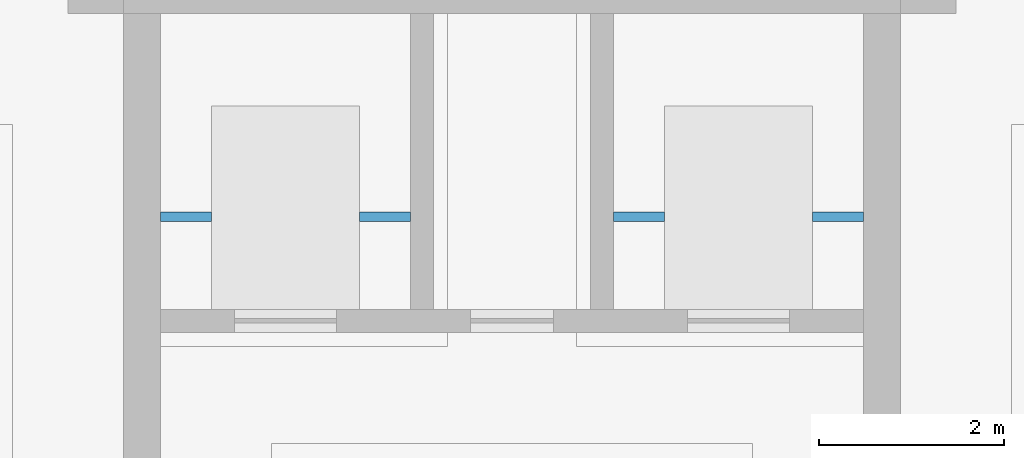
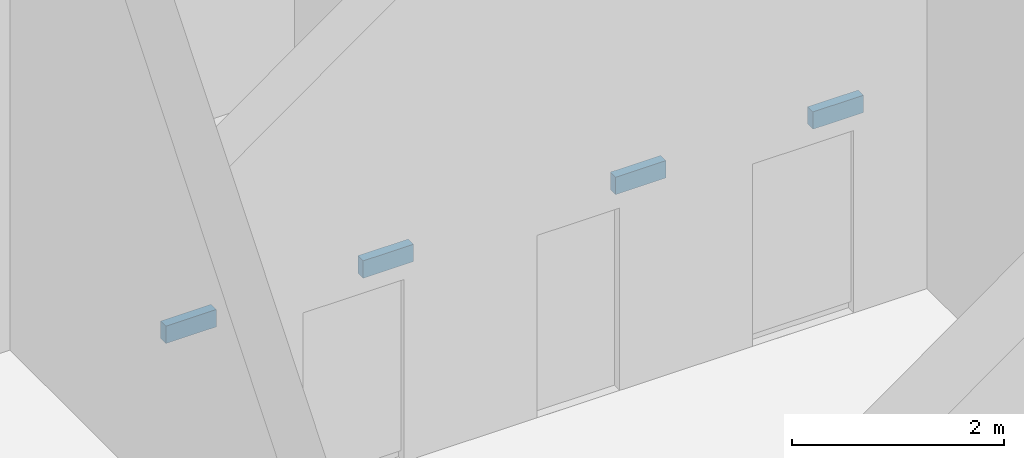
# One storey, part 83 of 108: 4 discrete accessories.
"""IFC4 building model written with IfcOpenShell, lengths in metres."""

from ifc_helpers import new_model, si_unit, direction, frame, origin, origin_2d, place, context, subcontext, project, spatial, rectangle, extrude, material, type_object, element, save


model = new_model("IFC4")

# Units and contexts
model_context = context("Model", 3, precision=1e-05, world=origin(), true_north=direction((0.0, 1.0)))
body_context = subcontext(model_context, "Body", "Model", "MODEL_VIEW")
ifc_project = project(units=[si_unit("LENGTHUNIT", "METRE"), si_unit("AREAUNIT", "SQUARE_METRE"), si_unit("VOLUMEUNIT", "CUBIC_METRE"), si_unit("PLANEANGLEUNIT", "RADIAN"), si_unit("MASSUNIT", "GRAM", prefix="KILO")], contexts=[model_context])

# Site, building, storey
site_placement = place(None, origin())
site = spatial("IfcSite", under=ifc_project, at=site_placement, CompositionType="ELEMENT")
building_placement = place(site_placement, origin())
building = spatial("IfcBuilding", under=site, at=building_placement, Name="Cresset Court Congress Hotel", CompositionType="ELEMENT")
storey_placement = place(building_placement, origin())
storey = spatial("IfcBuildingStorey", under=building, at=storey_placement, Name="L00", CompositionType="ELEMENT", Elevation=0.0)

# Discrete accessories
ifc_material = material(Name="Structural steel Q355B", Category="steel")
discrete_accessory_type = type_object("IfcDiscreteAccessoryType", Name="Lift guide bracket", PredefinedType="BRACKET", material=ifc_material)
for number, where, z_axis, x_axis, name in (
    (1, (25.875, 64.60009765625, 1.2998046875), (0.0, 0.0, 1.0), (1.0, 0.0, 0.0), "Lift guide bracket"),
    (2, (28.02490234375, 64.60009765625, 1.2998046875), (0.0, 0.0, 1.0), (1.0, 0.0, 0.0), "Lift guide bracket"),
    (3, (30.77490234375, 64.60009765625, 1.2998046875), (0.0, 0.0, 1.0), (1.0, 0.0, 0.0), "Lift guide bracket"),
    (4, (32.925048828125, 64.60009765625, 1.2998046875), (0.0, 0.0, 1.0), (1.0, 0.0, 0.0), "Lift guide bracket"),
):
    element("IfcDiscreteAccessory", number, at=place(storey_placement, frame(where, z_axis=z_axis, x_axis=x_axis)), inside=storey, type_object=discrete_accessory_type, Name=name, PredefinedType="BRACKET", context=body_context, shape_type="SweptSolid", body=[
        extrude(rectangle(XDim=0.550048828125, YDim=0.10009765625, at=origin_2d()), origin(), (0.0, 0.0, 1.0), 0.199951171875),
    ])

save(model, "model.ifc")
